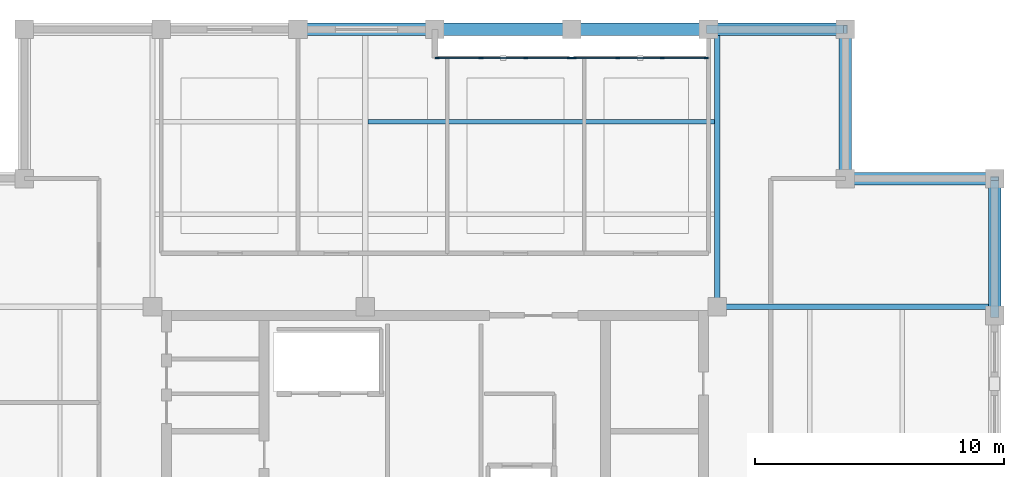
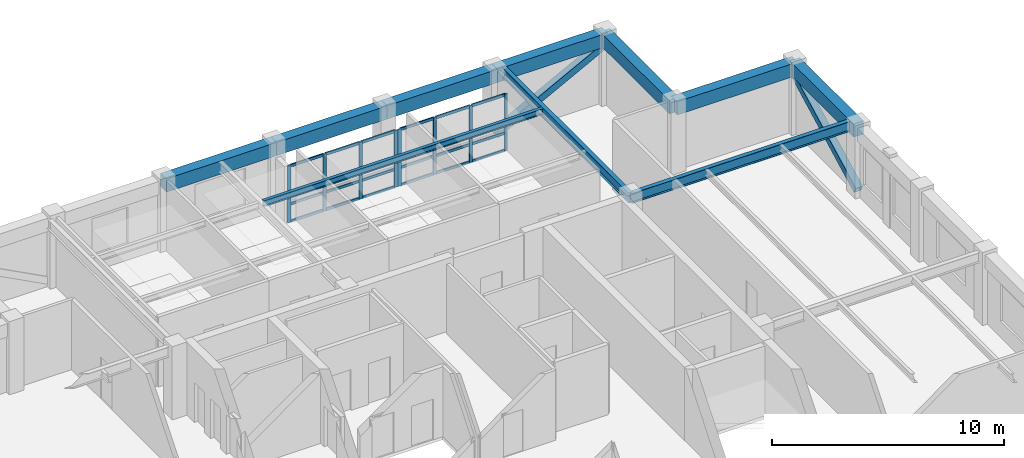
# One storey, part 2 of 9: 28 members, 10 beams, 2 elements without a shape of their own.
"""IFC4 building model written with IfcOpenShell, lengths in metres."""

from ifc_helpers import new_model, si_unit, direction, frame, origin, origin_2d, place, context, subcontext, project, spatial, rectangle, hollow_rectangle, i_section, extrude, material, layer, layer_set, material_profile, profile_set, type_object, element, aggregate, save


model = new_model("IFC4")

# Units and contexts
model_context = context("Model", 3, precision=1e-05, world=origin(), true_north=direction((0.0, 1.0)))
body_context = subcontext(model_context, "Body", "Model", "MODEL_VIEW")
ifc_project = project(units=[si_unit("LENGTHUNIT", "METRE"), si_unit("AREAUNIT", "SQUARE_METRE"), si_unit("VOLUMEUNIT", "CUBIC_METRE"), si_unit("PLANEANGLEUNIT", "RADIAN"), si_unit("MASSUNIT", "GRAM", prefix="KILO")], contexts=[model_context])

# Site, building, storey
site_placement = place(None, origin())
site = spatial("IfcSite", under=ifc_project, at=site_placement, CompositionType="ELEMENT")
building_placement = place(site_placement, origin())
building = spatial("IfcBuilding", under=site, at=building_placement, Name="Nhamokura Convention Tower", CompositionType="ELEMENT")
storey_placement = place(building_placement, frame((0.0, 0.0, 273.699951171875)))
storey = spatial("IfcBuildingStorey", under=building, at=storey_placement, Name="L67", CompositionType="ELEMENT", Elevation=273.699951171875)

# Curtain wall, members
ifc_material_1 = material(Name="Anodised bronze aluminium AA6063-T6", Category="aluminium")
ifc_layer = layer(ifc_material_1, 0.155029296875)
ifc_layer_set = layer_set([ifc_layer], Name="CWSystem_ScaleSlot_Zone3")
curtain_wall_type = type_object("IfcCurtainWallType", Name="CWSystem_ScaleSlot_Zone3", PredefinedType="NOTDEFINED", material=ifc_layer_set)
curtain_wall_1_placement = place(storey_placement, origin())
curtain_wall_1 = element("IfcCurtainWall", 1, at=curtain_wall_1_placement, inside=storey, type_object=curtain_wall_type, Name="L67 Curtain Wall ENV-L67-SLOT-N3", PredefinedType="NOTDEFINED")
ifc_material_2 = material(Name="Anodised bronze aluminium AA6063-T6", Category="aluminium")
ifc_material_profile_1 = material_profile(ifc_material_2, rectangle(XDim=0.06494140625, YDim=0.1650390625, at=origin_2d()))
ifc_profile_set_1 = profile_set([ifc_material_profile_1], Name="Anodised bronze aluminium AA6063-T6")
member_type_1 = type_object("IfcMemberType", Name="CWMullion_3", PredefinedType="MULLION", material=ifc_profile_set_1)
member_1_placement = place(storey_placement, frame((32.092529296875, 53.35009765625, 0.0), z_axis=(0.0, 0.0, 1.0), x_axis=(0.0, 1.0, 0.0)))
member_1 = element("IfcMember", 2, at=member_1_placement, type_object=member_type_1, Name="CW-05 mullion 1", PredefinedType="MULLION", context=body_context, shape_type="SweptSolid", body=[
    extrude(rectangle(XDim=0.06494140625, YDim=0.1650390625, at=origin_2d()), origin(), (0.0, 0.0, 1.0), 2.985107421875),
])
member_2_placement = place(storey_placement, frame((33.853271484375, 53.35009765625, 0.0), z_axis=(0.0, 0.0, 1.0), x_axis=(0.0, 1.0, 0.0)))
member_2 = element("IfcMember", 3, at=member_2_placement, type_object=member_type_1, Name="CW-05 mullion 2", PredefinedType="MULLION", context=body_context, shape_type="SweptSolid", body=[
    extrude(rectangle(XDim=0.06494140625, YDim=0.1650390625, at=origin_2d()), origin(), (0.0, 0.0, 1.0), 2.985107421875),
])
member_3_placement = place(storey_placement, frame((35.646728515625, 53.35009765625, 0.0), z_axis=(0.0, 0.0, 1.0), x_axis=(0.0, 1.0, 0.0)))
member_3 = element("IfcMember", 4, at=member_3_placement, type_object=member_type_1, Name="CW-05 mullion 3", PredefinedType="MULLION", context=body_context, shape_type="SweptSolid", body=[
    extrude(rectangle(XDim=0.06494140625, YDim=0.1650390625, at=origin_2d()), origin(), (0.0, 0.0, 1.0), 2.985107421875),
])
member_4_placement = place(storey_placement, frame((37.407470703125, 53.35009765625, 0.0), z_axis=(0.0, 0.0, 1.0), x_axis=(0.0, 1.0, 0.0)))
member_4 = element("IfcMember", 5, at=member_4_placement, type_object=member_type_1, Name="CW-05 mullion 4", PredefinedType="MULLION", context=body_context, shape_type="SweptSolid", body=[
    extrude(rectangle(XDim=0.06494140625, YDim=0.1650390625, at=origin_2d()), origin(), (0.0, 0.0, 1.0), 2.985107421875),
])

curtain_wall_2_placement = place(storey_placement, origin())
curtain_wall_2 = element("IfcCurtainWall", 6, at=curtain_wall_2_placement, inside=storey, type_object=curtain_wall_type, Name="L67 Curtain Wall ENV-L67-SLOT-N4", PredefinedType="NOTDEFINED")
member_5_placement = place(storey_placement, frame((37.592529296875, 53.35009765625, 0.0), z_axis=(0.0, 0.0, 1.0), x_axis=(0.0, 1.0, 0.0)))
member_5 = element("IfcMember", 7, at=member_5_placement, type_object=member_type_1, Name="CW-05 mullion 1", PredefinedType="MULLION", context=body_context, shape_type="SweptSolid", body=[
    extrude(rectangle(XDim=0.06494140625, YDim=0.1650390625, at=origin_2d()), origin(), (0.0, 0.0, 1.0), 2.985107421875),
])
member_6_placement = place(storey_placement, frame((39.353271484375, 53.35009765625, 0.0), z_axis=(0.0, 0.0, 1.0), x_axis=(0.0, 1.0, 0.0)))
member_6 = element("IfcMember", 8, at=member_6_placement, type_object=member_type_1, Name="CW-05 mullion 2", PredefinedType="MULLION", context=body_context, shape_type="SweptSolid", body=[
    extrude(rectangle(XDim=0.06494140625, YDim=0.1650390625, at=origin_2d()), origin(), (0.0, 0.0, 1.0), 2.985107421875),
])
member_7_placement = place(storey_placement, frame((41.146728515625, 53.35009765625, 0.0), z_axis=(0.0, 0.0, 1.0), x_axis=(0.0, 1.0, 0.0)))
member_7 = element("IfcMember", 9, at=member_7_placement, type_object=member_type_1, Name="CW-05 mullion 3", PredefinedType="MULLION", context=body_context, shape_type="SweptSolid", body=[
    extrude(rectangle(XDim=0.06494140625, YDim=0.1650390625, at=origin_2d()), origin(), (0.0, 0.0, 1.0), 2.985107421875),
])
member_8_placement = place(storey_placement, frame((42.907470703125, 53.35009765625, 0.0), z_axis=(0.0, 0.0, 1.0), x_axis=(0.0, 1.0, 0.0)))
member_8 = element("IfcMember", 10, at=member_8_placement, type_object=member_type_1, Name="CW-05 mullion 4", PredefinedType="MULLION", context=body_context, shape_type="SweptSolid", body=[
    extrude(rectangle(XDim=0.06494140625, YDim=0.1650390625, at=origin_2d()), origin(), (0.0, 0.0, 1.0), 2.985107421875),
])

# Member
ifc_material_3 = material(Name="Anodised bronze aluminium AA6063-T6", Category="aluminium")
ifc_material_profile_2 = material_profile(ifc_material_3, rectangle(XDim=0.06494140625, YDim=0.139892578125, at=origin_2d()))
ifc_profile_set_2 = profile_set([ifc_material_profile_2], Name="Anodised bronze aluminium AA6063-T6")
member_type_2 = type_object("IfcMemberType", Name="CWTransom_3", PredefinedType="USERDEFINED", material=ifc_profile_set_2)
member_9_placement = place(storey_placement, frame((32.125, 53.35009765625, 0.032470703125), z_axis=(1.0, 0.0, 0.0), x_axis=(0.0, 1.0, 0.0)))
member_9 = element("IfcMember", 11, at=member_9_placement, type_object=member_type_2, Name="CW-05 transom 1.1", ObjectType="TRANSOM", PredefinedType="USERDEFINED", context=body_context, shape_type="SweptSolid", body=[
    extrude(rectangle(XDim=0.06494140625, YDim=0.139892578125, at=origin_2d()), origin(), (0.0, 0.0, 1.0), 1.69580078125),
])

member_10_placement = place(storey_placement, frame((32.125, 53.35009765625, 0.949951171875), z_axis=(1.0, 0.0, 0.0), x_axis=(0.0, 1.0, 0.0)))
member_10 = element("IfcMember", 12, at=member_10_placement, type_object=member_type_2, Name="CW-05 transom 1.2", ObjectType="TRANSOM", PredefinedType="USERDEFINED", context=body_context, shape_type="SweptSolid", body=[
    extrude(rectangle(XDim=0.06494140625, YDim=0.139892578125, at=origin_2d()), origin(), (0.0, 0.0, 1.0), 1.69580078125),
])

member_11_placement = place(storey_placement, frame((32.125, 53.35009765625, 2.95263671875), z_axis=(1.0, 0.0, 0.0), x_axis=(0.0, 1.0, 0.0)))
member_11 = element("IfcMember", 13, at=member_11_placement, type_object=member_type_2, Name="CW-05 transom 1.3", ObjectType="TRANSOM", PredefinedType="USERDEFINED", context=body_context, shape_type="SweptSolid", body=[
    extrude(rectangle(XDim=0.06494140625, YDim=0.139892578125, at=origin_2d()), origin(), (0.0, 0.0, 1.0), 1.69580078125),
])

member_12_placement = place(storey_placement, frame((33.8857421875, 53.35009765625, 0.032470703125), z_axis=(1.0, 0.0, 0.0), x_axis=(0.0, 1.0, 0.0)))
member_12 = element("IfcMember", 14, at=member_12_placement, type_object=member_type_2, Name="CW-05 transom 2.1", ObjectType="TRANSOM", PredefinedType="USERDEFINED", context=body_context, shape_type="SweptSolid", body=[
    extrude(rectangle(XDim=0.06494140625, YDim=0.139892578125, at=origin_2d()), origin(), (0.0, 0.0, 1.0), 1.728515625),
])

member_13_placement = place(storey_placement, frame((33.8857421875, 53.35009765625, 0.949951171875), z_axis=(1.0, 0.0, 0.0), x_axis=(0.0, 1.0, 0.0)))
member_13 = element("IfcMember", 15, at=member_13_placement, type_object=member_type_2, Name="CW-05 transom 2.2", ObjectType="TRANSOM", PredefinedType="USERDEFINED", context=body_context, shape_type="SweptSolid", body=[
    extrude(rectangle(XDim=0.06494140625, YDim=0.139892578125, at=origin_2d()), origin(), (0.0, 0.0, 1.0), 1.728515625),
])

member_14_placement = place(storey_placement, frame((33.8857421875, 53.35009765625, 2.95263671875), z_axis=(1.0, 0.0, 0.0), x_axis=(0.0, 1.0, 0.0)))
member_14 = element("IfcMember", 16, at=member_14_placement, type_object=member_type_2, Name="CW-05 transom 2.3", ObjectType="TRANSOM", PredefinedType="USERDEFINED", context=body_context, shape_type="SweptSolid", body=[
    extrude(rectangle(XDim=0.06494140625, YDim=0.139892578125, at=origin_2d()), origin(), (0.0, 0.0, 1.0), 1.728515625),
])

member_15_placement = place(storey_placement, frame((35.67919921875, 53.35009765625, 0.032470703125), z_axis=(1.0, 0.0, 0.0), x_axis=(0.0, 1.0, 0.0)))
member_15 = element("IfcMember", 17, at=member_15_placement, type_object=member_type_2, Name="CW-05 transom 3.1", ObjectType="TRANSOM", PredefinedType="USERDEFINED", context=body_context, shape_type="SweptSolid", body=[
    extrude(rectangle(XDim=0.06494140625, YDim=0.139892578125, at=origin_2d()), origin(), (0.0, 0.0, 1.0), 1.69580078125),
])

member_16_placement = place(storey_placement, frame((35.67919921875, 53.35009765625, 0.949951171875), z_axis=(1.0, 0.0, 0.0), x_axis=(0.0, 1.0, 0.0)))
member_16 = element("IfcMember", 18, at=member_16_placement, type_object=member_type_2, Name="CW-05 transom 3.2", ObjectType="TRANSOM", PredefinedType="USERDEFINED", context=body_context, shape_type="SweptSolid", body=[
    extrude(rectangle(XDim=0.06494140625, YDim=0.139892578125, at=origin_2d()), origin(), (0.0, 0.0, 1.0), 1.69580078125),
])

member_17_placement = place(storey_placement, frame((35.67919921875, 53.35009765625, 2.95263671875), z_axis=(1.0, 0.0, 0.0), x_axis=(0.0, 1.0, 0.0)))
member_17 = element("IfcMember", 19, at=member_17_placement, type_object=member_type_2, Name="CW-05 transom 3.3", ObjectType="TRANSOM", PredefinedType="USERDEFINED", context=body_context, shape_type="SweptSolid", body=[
    extrude(rectangle(XDim=0.06494140625, YDim=0.139892578125, at=origin_2d()), origin(), (0.0, 0.0, 1.0), 1.69580078125),
])

aggregate(curtain_wall_1, [member_1, member_2, member_3, member_4, member_9, member_10, member_11, member_12, member_13, member_14, member_15, member_16, member_17])

member_18_placement = place(storey_placement, frame((37.625, 53.35009765625, 0.032470703125), z_axis=(1.0, 0.0, 0.0), x_axis=(0.0, 1.0, 0.0)))
member_18 = element("IfcMember", 20, at=member_18_placement, type_object=member_type_2, Name="CW-05 transom 1.1", ObjectType="TRANSOM", PredefinedType="USERDEFINED", context=body_context, shape_type="SweptSolid", body=[
    extrude(rectangle(XDim=0.06494140625, YDim=0.139892578125, at=origin_2d()), origin(), (0.0, 0.0, 1.0), 1.69580078125),
])

member_19_placement = place(storey_placement, frame((37.625, 53.35009765625, 0.949951171875), z_axis=(1.0, 0.0, 0.0), x_axis=(0.0, 1.0, 0.0)))
member_19 = element("IfcMember", 21, at=member_19_placement, type_object=member_type_2, Name="CW-05 transom 1.2", ObjectType="TRANSOM", PredefinedType="USERDEFINED", context=body_context, shape_type="SweptSolid", body=[
    extrude(rectangle(XDim=0.06494140625, YDim=0.139892578125, at=origin_2d()), origin(), (0.0, 0.0, 1.0), 1.69580078125),
])

member_20_placement = place(storey_placement, frame((37.625, 53.35009765625, 2.95263671875), z_axis=(1.0, 0.0, 0.0), x_axis=(0.0, 1.0, 0.0)))
member_20 = element("IfcMember", 22, at=member_20_placement, type_object=member_type_2, Name="CW-05 transom 1.3", ObjectType="TRANSOM", PredefinedType="USERDEFINED", context=body_context, shape_type="SweptSolid", body=[
    extrude(rectangle(XDim=0.06494140625, YDim=0.139892578125, at=origin_2d()), origin(), (0.0, 0.0, 1.0), 1.69580078125),
])

member_21_placement = place(storey_placement, frame((39.3857421875, 53.35009765625, 0.032470703125), z_axis=(1.0, 0.0, 0.0), x_axis=(0.0, 1.0, 0.0)))
member_21 = element("IfcMember", 23, at=member_21_placement, type_object=member_type_2, Name="CW-05 transom 2.1", ObjectType="TRANSOM", PredefinedType="USERDEFINED", context=body_context, shape_type="SweptSolid", body=[
    extrude(rectangle(XDim=0.06494140625, YDim=0.139892578125, at=origin_2d()), origin(), (0.0, 0.0, 1.0), 1.728515625),
])

member_22_placement = place(storey_placement, frame((39.3857421875, 53.35009765625, 0.949951171875), z_axis=(1.0, 0.0, 0.0), x_axis=(0.0, 1.0, 0.0)))
member_22 = element("IfcMember", 24, at=member_22_placement, type_object=member_type_2, Name="CW-05 transom 2.2", ObjectType="TRANSOM", PredefinedType="USERDEFINED", context=body_context, shape_type="SweptSolid", body=[
    extrude(rectangle(XDim=0.06494140625, YDim=0.139892578125, at=origin_2d()), origin(), (0.0, 0.0, 1.0), 1.728515625),
])

member_23_placement = place(storey_placement, frame((39.3857421875, 53.35009765625, 2.95263671875), z_axis=(1.0, 0.0, 0.0), x_axis=(0.0, 1.0, 0.0)))
member_23 = element("IfcMember", 25, at=member_23_placement, type_object=member_type_2, Name="CW-05 transom 2.3", ObjectType="TRANSOM", PredefinedType="USERDEFINED", context=body_context, shape_type="SweptSolid", body=[
    extrude(rectangle(XDim=0.06494140625, YDim=0.139892578125, at=origin_2d()), origin(), (0.0, 0.0, 1.0), 1.728515625),
])

member_24_placement = place(storey_placement, frame((41.17919921875, 53.35009765625, 0.032470703125), z_axis=(1.0, 0.0, 0.0), x_axis=(0.0, 1.0, 0.0)))
member_24 = element("IfcMember", 26, at=member_24_placement, type_object=member_type_2, Name="CW-05 transom 3.1", ObjectType="TRANSOM", PredefinedType="USERDEFINED", context=body_context, shape_type="SweptSolid", body=[
    extrude(rectangle(XDim=0.06494140625, YDim=0.139892578125, at=origin_2d()), origin(), (0.0, 0.0, 1.0), 1.69580078125),
])

member_25_placement = place(storey_placement, frame((41.17919921875, 53.35009765625, 0.949951171875), z_axis=(1.0, 0.0, 0.0), x_axis=(0.0, 1.0, 0.0)))
member_25 = element("IfcMember", 27, at=member_25_placement, type_object=member_type_2, Name="CW-05 transom 3.2", ObjectType="TRANSOM", PredefinedType="USERDEFINED", context=body_context, shape_type="SweptSolid", body=[
    extrude(rectangle(XDim=0.06494140625, YDim=0.139892578125, at=origin_2d()), origin(), (0.0, 0.0, 1.0), 1.69580078125),
])

member_26_placement = place(storey_placement, frame((41.17919921875, 53.35009765625, 2.95263671875), z_axis=(1.0, 0.0, 0.0), x_axis=(0.0, 1.0, 0.0)))
member_26 = element("IfcMember", 28, at=member_26_placement, type_object=member_type_2, Name="CW-05 transom 3.3", ObjectType="TRANSOM", PredefinedType="USERDEFINED", context=body_context, shape_type="SweptSolid", body=[
    extrude(rectangle(XDim=0.06494140625, YDim=0.139892578125, at=origin_2d()), origin(), (0.0, 0.0, 1.0), 1.69580078125),
])

aggregate(curtain_wall_2, [member_5, member_6, member_7, member_8, member_18, member_19, member_20, member_21, member_22, member_23, member_24, member_25, member_26])

# Beams
ifc_material_4 = material(Name="Steel ASTM A992 Gr 50", Category="steel")
ifc_material_profile_3 = material_profile(ifc_material_4, i_section(OverallWidth=0.166015625, OverallDepth=0.31298828125, WebThickness=0.006591796875, FlangeThickness=0.01123046875, at=origin_2d()))
ifc_profile_set_3 = profile_set([ifc_material_profile_3], Name="Steel ASTM A992 Gr 50")
beam_type_1 = type_object("IfcBeamType", Name="FloorJoist_W310X45", PredefinedType="JOIST", material=ifc_profile_set_3)
beam_placement = place(storey_placement, frame((29.302490234375, 50.783203125, 3.528564453125), z_axis=(1.0, 0.0, 0.0), x_axis=(0.0, 1.0, 0.0)))
element("IfcBeam", 29, at=beam_placement, inside=storey, type_object=beam_type_1, Name="L67 Composite Floor Joist N2B", PredefinedType="JOIST", context=body_context, shape_type="SweptSolid", body=[
    extrude(i_section(OverallWidth=0.166015625, OverallDepth=0.31298828125, WebThickness=0.006591796875, FlangeThickness=0.01123046875, at=origin_2d()), origin(), (0.0, 0.0, 1.0), 13.945068359375),
])
ifc_material_5 = material(Name="Steel ASTM A992 Gr 50", Category="steel")
ifc_material_profile_4 = material_profile(ifc_material_5, i_section(OverallWidth=0.208984375, OverallDepth=0.532958984375, WebThickness=0.01025390625, FlangeThickness=0.015625, at=origin_2d()))
ifc_profile_set_4 = profile_set([ifc_material_profile_4], Name="Steel ASTM A992 Gr 50")
beam_type_2 = type_object("IfcBeamType", Name="PrimaryGirder_W530X92", PredefinedType="BEAM", material=ifc_profile_set_4)
for number, where, z_axis, x_axis, name in (
    (30, (43.35009765625, 43.35009765625, 3.41845703125), (0.0, 1.0, 0.0), (-1.0, 0.0, 0.0), "L67 Primary Floor Girder PG-N3"),
    (31, (43.35009765625, 43.35009765625, 3.41845703125), (1.0, 0.0, 0.0), (0.0, 1.0, 0.0), "L67 Primary Floor Girder PG-E3"),
):
    element("IfcBeam", number, at=place(storey_placement, frame(where, z_axis=z_axis, x_axis=x_axis)), inside=storey, type_object=beam_type_2, Name=name, PredefinedType="BEAM", context=body_context, shape_type="SweptSolid", body=[
        extrude(i_section(OverallWidth=0.208984375, OverallDepth=0.532958984375, WebThickness=0.01025390625, FlangeThickness=0.015625, at=origin_2d()), origin(), (0.0, 0.0, 1.0), 11.14990234375),
    ])

# Members
ifc_material_6 = material(Name="Steel ASTM A572 Gr 50", Category="steel")
ifc_material_profile_5 = material_profile(ifc_material_6, hollow_rectangle(XDim=0.35009765625, YDim=0.35009765625, WallThickness=0.01611328125, at=origin_2d()))
ifc_profile_set_5 = profile_set([ifc_material_profile_5], Name="Steel ASTM A572 Gr 50")
member_type_3 = type_object("IfcMemberType", Name="TubeBrace_HSS350", PredefinedType="BRACE", material=ifc_profile_set_5)
for number, where, z_axis, x_axis, name in (
    (32, (43.0, 54.5, 0.150146484375), (0.885562865764, 0.0, 0.464519548328), (0.0, 1.0, 0.0), "L67 Perimeter Tube Brace NORTH Bay 5"),
    (33, (54.5, 43.0, 0.150146484375), (0.0, 0.885562865764, 0.464519548328), (-1.0, 0.0, 0.0), "L67 Perimeter Tube Brace EAST Bay 5"),
):
    element("IfcMember", number, at=place(storey_placement, frame(where, z_axis=z_axis, x_axis=x_axis)), inside=storey, type_object=member_type_3, Name=name, PredefinedType="BRACE", context=body_context, shape_type="SweptSolid", body=[
        extrude(hollow_rectangle(XDim=0.35009765625, YDim=0.35009765625, WallThickness=0.01611328125, at=origin_2d()), origin(), (0.0, 0.0, 1.0), 6.210693359375),
    ])

# Beams
ifc_material_7 = material(Name="Concrete C50/60", Category="concrete")
ifc_material_profile_6 = material_profile(ifc_material_7, rectangle(XDim=0.5, YDim=0.699951171875, at=origin_2d()))
ifc_profile_set_6 = profile_set([ifc_material_profile_6], Name="Concrete C50/60")
beam_type_3 = type_object("IfcBeamType", Name="TubeSpandrel_700", PredefinedType="SPANDREL", material=ifc_profile_set_6)
for number, where, z_axis, x_axis, name in (
    (34, (26.5, 54.5, 3.3349609375), (1.0, 0.0, 0.0), (0.0, 1.0, 0.0), "L67 Perimeter Spandrel NORTH 3"),
    (35, (32.0, 54.5, 3.3349609375), (1.0, 0.0, 0.0), (0.0, 1.0, 0.0), "L67 Perimeter Spandrel NORTH 4"),
    (36, (37.5, 54.5, 3.3349609375), (1.0, 0.0, 0.0), (0.0, 1.0, 0.0), "L67 Perimeter Spandrel NORTH 5"),
    (37, (43.0, 54.5, 3.3349609375), (1.0, 0.0, 0.0), (0.0, 1.0, 0.0), "L67 Perimeter Spandrel NORTH 6"),
    (38, (54.5, 43.0, 3.3349609375), (0.0, 1.0, 0.0), (-1.0, 0.0, 0.0), "L67 Perimeter Spandrel EAST 6"),
):
    element("IfcBeam", number, at=place(storey_placement, frame(where, z_axis=z_axis, x_axis=x_axis)), inside=storey, type_object=beam_type_3, Name=name, PredefinedType="SPANDREL", context=body_context, shape_type="SweptSolid", body=[
        extrude(rectangle(XDim=0.5, YDim=0.699951171875, at=origin_2d()), origin(), (0.0, 0.0, 1.0), 5.5),
    ])
for number, where, z_axis, x_axis, name in (
    (39, (54.5, 48.5, 3.3349609375), (-1.0, 0.0, 0.0), (0.0, -1.0, 0.0), "L67 Notch Spandrel NE1"),
    (40, (48.5, 48.5, 3.3349609375), (0.0, 1.0, 0.0), (-1.0, 0.0, 0.0), "L67 Notch Spandrel NE2"),
):
    element("IfcBeam", number, at=place(storey_placement, frame(where, z_axis=z_axis, x_axis=x_axis)), inside=storey, type_object=beam_type_3, Name=name, PredefinedType="SPANDREL", context=body_context, shape_type="SweptSolid", body=[
        extrude(rectangle(XDim=0.5, YDim=0.699951171875, at=origin_2d()), origin(), (0.0, 0.0, 1.0), 6.0),
    ])

save(model, "model.ifc")
